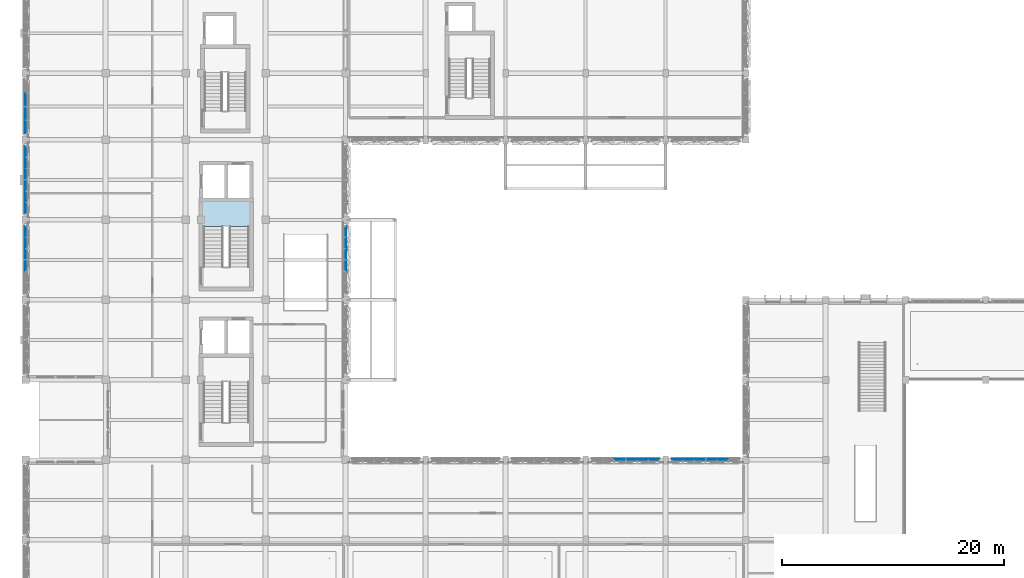
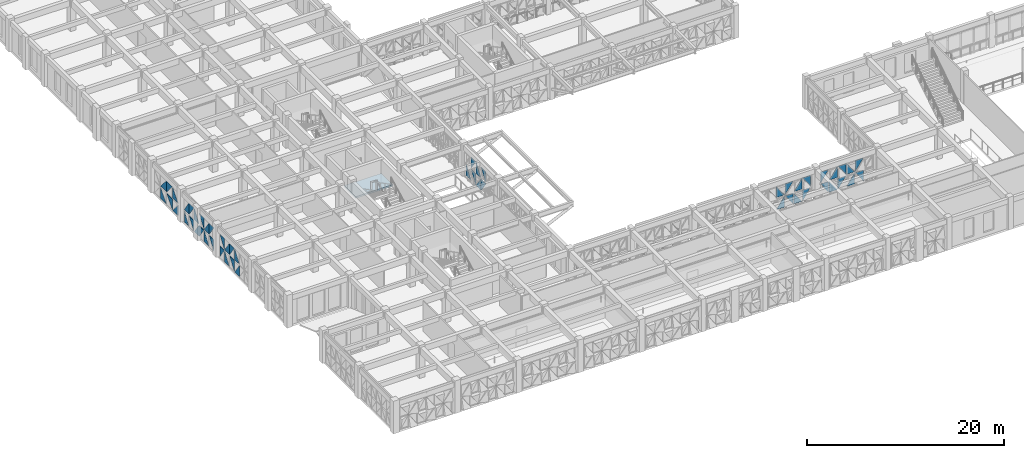
# One storey, part 32 of 88: 51 plates, 1 slab, 7 elements without a shape of their own.
"""IFC4 building model written with IfcOpenShell, lengths in metres."""

from ifc_helpers import new_model, si_unit, direction, frame, origin, place, context, subcontext, project, spatial, polyline, outline, extrude, material, layer, layer_set, type_object, element, aggregate, save


model = new_model("IFC4")

# Units and contexts
model_context = context("Model", 3, precision=1e-05, world=origin(), true_north=direction((0.0, 1.0)))
body_context = subcontext(model_context, "Body", "Model", "MODEL_VIEW")
ifc_project = project(units=[si_unit("LENGTHUNIT", "METRE"), si_unit("AREAUNIT", "SQUARE_METRE"), si_unit("VOLUMEUNIT", "CUBIC_METRE"), si_unit("PLANEANGLEUNIT", "RADIAN"), si_unit("MASSUNIT", "GRAM", prefix="KILO")], contexts=[model_context])

# Site, building, storey
site_placement = place(None, origin())
site = spatial("IfcSite", under=ifc_project, at=site_placement, CompositionType="ELEMENT")
building_placement = place(site_placement, origin())
building = spatial("IfcBuilding", under=site, at=building_placement, Name="Alvorim Cloister Faculty of Sciences", CompositionType="ELEMENT")
storey_placement = place(building_placement, frame((0.0, 0.0, 4.5)))
storey = spatial("IfcBuildingStorey", under=building, at=storey_placement, Name="L01", CompositionType="ELEMENT", Elevation=4.5)

# Curtain wall, plates
ifc_material_1 = material(Name="Aluminium and Low-E Glass Curtain Wall", Category="aluminium")
curtain_wall_type_1 = type_object("IfcCurtainWallType", Name="CW-TRI-6120x3170", PredefinedType="USERDEFINED", material=ifc_material_1)
curtain_wall_1_placement = place(storey_placement, origin())
curtain_wall_1 = element("IfcCurtainWall", 1, at=curtain_wall_1_placement, inside=storey, type_object=curtain_wall_type_1, Name="L01 Diagonal Cassette Curtain Wall CW-0008", ObjectType="UNITISED CURTAIN WALL", PredefinedType="USERDEFINED")
ifc_material_2 = material(Name="Double Low-E Laminated Glass", Category="glass")
ifc_layer_1 = layer(ifc_material_2, 0.0400390625)
ifc_layer_set_1 = layer_set([ifc_layer_1], Name="Double Low-E Laminated Glass")
plate_type = type_object("IfcPlateType", Name="PN-GLZ-40", PredefinedType="CURTAIN_PANEL", material=ifc_layer_set_1)
plate_1_placement = place(storey_placement, frame((-0.02490234375, 31.41748046875, 0.159912109375), z_axis=(0.0, 0.0, 1.0), x_axis=(0.0, 1.0, 0.0)))
plate_1 = element("IfcPlate", 2, at=plate_1_placement, type_object=plate_type, Name="Diagonal Glazed Triangle TRI-BL", PredefinedType="CURTAIN_PANEL", context=body_context, shape_type="SweptSolid", body=[
    extrude(outline(polyline([(0.0, 0.0), (0.943115234375, 0.0), (0.0, 1.343017578125), (0.0, 0.0)])), frame((0.0, 0.02490234375, 0.0), z_axis=(0.0, -1.0, 0.0), x_axis=(1.0, 0.0, 0.0)), (0.0, 0.0, 1.0), 0.050048828125),
])
plate_2_placement = place(storey_placement, frame((-0.02490234375, 31.41748046875, 1.6650390625), z_axis=(0.0, 0.0, 1.0), x_axis=(0.0, 1.0, 0.0)))
plate_2 = element("IfcPlate", 3, at=plate_2_placement, type_object=plate_type, Name="Diagonal Glazed Triangle TRI-BR", PredefinedType="CURTAIN_PANEL", context=body_context, shape_type="SweptSolid", body=[
    extrude(outline(polyline([(0.001953125, 0.0), (0.945068359375, 0.0), (0.945068359375, 1.343017578125), (0.001953125, 0.0)])), frame((0.0, 0.02490234375, 0.0), z_axis=(0.0, -1.0, 0.0), x_axis=(1.0, 0.0, 0.0)), (0.0, 0.0, 1.0), 0.050048828125),
])
plate_3_placement = place(storey_placement, frame((-0.02490234375, 32.4375, 0.159912109375), z_axis=(0.0, 0.0, 1.0), x_axis=(0.0, 1.0, 0.0)))
plate_3 = element("IfcPlate", 4, at=plate_3_placement, type_object=plate_type, Name="Diagonal Glazed Triangle TRI-TL", PredefinedType="CURTAIN_PANEL", context=body_context, shape_type="SweptSolid", body=[
    extrude(outline(polyline([(0.943115234375, 1.344970703125), (0.0, 1.344970703125), (0.0, 0.001953125), (0.943115234375, 1.344970703125)])), frame((0.0, 0.02490234375, 0.0), z_axis=(0.0, -1.0, 0.0), x_axis=(1.0, 0.0, 0.0)), (0.0, 0.0, 1.0), 0.050048828125),
])
plate_4_placement = place(storey_placement, frame((-0.02490234375, 32.4375, 1.6650390625), z_axis=(0.0, 0.0, 1.0), x_axis=(0.0, 1.0, 0.0)))
plate_4 = element("IfcPlate", 5, at=plate_4_placement, type_object=plate_type, Name="Diagonal Glazed Triangle TRI-TR", PredefinedType="CURTAIN_PANEL", context=body_context, shape_type="SweptSolid", body=[
    extrude(outline(polyline([(0.945068359375, 0.001953125), (0.945068359375, 1.344970703125), (0.001953125, 1.344970703125), (0.945068359375, 0.001953125)])), frame((0.0, 0.02490234375, 0.0), z_axis=(0.0, -1.0, 0.0), x_axis=(1.0, 0.0, 0.0)), (0.0, 0.0, 1.0), 0.050048828125),
])
plate_5_placement = place(storey_placement, frame((-0.02490234375, 33.45751953125, 0.159912109375), z_axis=(0.0, 0.0, 1.0), x_axis=(0.0, 1.0, 0.0)))
plate_5 = element("IfcPlate", 6, at=plate_5_placement, type_object=plate_type, Name="Diagonal Glazed Triangle TRI-BR", PredefinedType="CURTAIN_PANEL", context=body_context, shape_type="SweptSolid", body=[
    extrude(outline(polyline([(0.001953125, 0.0), (0.945068359375, 0.0), (0.945068359375, 1.343017578125), (0.001953125, 0.0)])), frame((0.0, 0.02490234375, 0.0), z_axis=(0.0, -1.0, 0.0), x_axis=(1.0, 0.0, 0.0)), (0.0, 0.0, 1.0), 0.050048828125),
])
plate_6_placement = place(storey_placement, frame((-0.02490234375, 33.45751953125, 1.6650390625), z_axis=(0.0, 0.0, 1.0), x_axis=(0.0, 1.0, 0.0)))
plate_6 = element("IfcPlate", 7, at=plate_6_placement, type_object=plate_type, Name="Diagonal Glazed Triangle TRI-BL", PredefinedType="CURTAIN_PANEL", context=body_context, shape_type="SweptSolid", body=[
    extrude(outline(polyline([(0.0, 0.0), (0.943115234375, 0.0), (0.0, 1.343017578125), (0.0, 0.0)])), frame((0.0, 0.02490234375, 0.0), z_axis=(0.0, -1.0, 0.0), x_axis=(1.0, 0.0, 0.0)), (0.0, 0.0, 1.0), 0.050048828125),
])
plate_7_placement = place(storey_placement, frame((-0.02490234375, 34.4775390625, 0.159912109375), z_axis=(0.0, 0.0, 1.0), x_axis=(0.0, 1.0, 0.0)))
plate_7 = element("IfcPlate", 8, at=plate_7_placement, type_object=plate_type, Name="Diagonal Glazed Triangle TRI-TR", PredefinedType="CURTAIN_PANEL", context=body_context, shape_type="SweptSolid", body=[
    extrude(outline(polyline([(0.907470703125, 0.001953125), (0.907470703125, 1.344970703125), (0.001953125, 1.344970703125), (0.907470703125, 0.001953125)])), frame((0.0, 0.02490234375, 0.0), z_axis=(0.0, -1.0, 0.0), x_axis=(1.0, 0.0, 0.0)), (0.0, 0.0, 1.0), 0.050048828125),
])
plate_8_placement = place(storey_placement, frame((-0.02490234375, 34.4775390625, 1.6650390625), z_axis=(0.0, 0.0, 1.0), x_axis=(0.0, 1.0, 0.0)))
plate_8 = element("IfcPlate", 9, at=plate_8_placement, type_object=plate_type, Name="Diagonal Glazed Triangle TRI-TL", PredefinedType="CURTAIN_PANEL", context=body_context, shape_type="SweptSolid", body=[
    extrude(outline(polyline([(0.905517578125, 1.344970703125), (0.0, 1.344970703125), (0.0, 0.001953125), (0.905517578125, 1.344970703125)])), frame((0.0, 0.02490234375, 0.0), z_axis=(0.0, -1.0, 0.0), x_axis=(1.0, 0.0, 0.0)), (0.0, 0.0, 1.0), 0.050048828125),
])
aggregate(curtain_wall_1, [plate_1, plate_2, plate_3, plate_4, plate_5, plate_6, plate_7, plate_8])

curtain_wall_2_placement = place(storey_placement, origin())
curtain_wall_2 = element("IfcCurtainWall", 10, at=curtain_wall_2_placement, inside=storey, type_object=curtain_wall_type_1, Name="L01 Diagonal Cassette Curtain Wall CW-0009", ObjectType="UNITISED CURTAIN WALL", PredefinedType="USERDEFINED")
plate_9_placement = place(storey_placement, frame((-0.02490234375, 36.614990234375, 0.159912109375), z_axis=(0.0, 0.0, 1.0), x_axis=(0.0, 1.0, 0.0)))
plate_9 = element("IfcPlate", 11, at=plate_9_placement, type_object=plate_type, Name="Diagonal Glazed Triangle TRI-TL", PredefinedType="CURTAIN_PANEL", context=body_context, shape_type="SweptSolid", body=[
    extrude(outline(polyline([(0.905517578125, 1.344970703125), (0.0, 1.344970703125), (0.0, 0.001953125), (0.905517578125, 1.344970703125)])), frame((0.0, 0.02490234375, 0.0), z_axis=(0.0, -1.0, 0.0), x_axis=(1.0, 0.0, 0.0)), (0.0, 0.0, 1.0), 0.050048828125),
])
plate_10_placement = place(storey_placement, frame((-0.02490234375, 36.614990234375, 1.6650390625), z_axis=(0.0, 0.0, 1.0), x_axis=(0.0, 1.0, 0.0)))
plate_10 = element("IfcPlate", 12, at=plate_10_placement, type_object=plate_type, Name="Diagonal Glazed Triangle TRI-TR", PredefinedType="CURTAIN_PANEL", context=body_context, shape_type="SweptSolid", body=[
    extrude(outline(polyline([(0.907470703125, 0.001953125), (0.907470703125, 1.344970703125), (0.001953125, 1.344970703125), (0.907470703125, 0.001953125)])), frame((0.0, 0.02490234375, 0.0), z_axis=(0.0, -1.0, 0.0), x_axis=(1.0, 0.0, 0.0)), (0.0, 0.0, 1.0), 0.050048828125),
])
plate_11_placement = place(storey_placement, frame((-0.02490234375, 37.597412109375, 0.159912109375), z_axis=(0.0, 0.0, 1.0), x_axis=(0.0, 1.0, 0.0)))
plate_11 = element("IfcPlate", 13, at=plate_11_placement, type_object=plate_type, Name="Diagonal Glazed Triangle TRI-BR", PredefinedType="CURTAIN_PANEL", context=body_context, shape_type="SweptSolid", body=[
    extrude(outline(polyline([(0.001953125, 0.0), (0.945068359375, 0.0), (0.945068359375, 1.343017578125), (0.001953125, 0.0)])), frame((0.0, 0.02490234375, 0.0), z_axis=(0.0, -1.0, 0.0), x_axis=(1.0, 0.0, 0.0)), (0.0, 0.0, 1.0), 0.050048828125),
])
plate_12_placement = place(storey_placement, frame((-0.02490234375, 37.597412109375, 1.6650390625), z_axis=(0.0, 0.0, 1.0), x_axis=(0.0, 1.0, 0.0)))
plate_12 = element("IfcPlate", 14, at=plate_12_placement, type_object=plate_type, Name="Diagonal Glazed Triangle TRI-BL", PredefinedType="CURTAIN_PANEL", context=body_context, shape_type="SweptSolid", body=[
    extrude(outline(polyline([(0.0, 0.0), (0.943115234375, 0.0), (0.0, 1.343017578125), (0.0, 0.0)])), frame((0.0, 0.02490234375, 0.0), z_axis=(0.0, -1.0, 0.0), x_axis=(1.0, 0.0, 0.0)), (0.0, 0.0, 1.0), 0.050048828125),
])
plate_13_placement = place(storey_placement, frame((-0.02490234375, 38.617431640625, 0.159912109375), z_axis=(0.0, 0.0, 1.0), x_axis=(0.0, 1.0, 0.0)))
plate_13 = element("IfcPlate", 15, at=plate_13_placement, type_object=plate_type, Name="Diagonal Glazed Triangle TRI-TR", PredefinedType="CURTAIN_PANEL", context=body_context, shape_type="SweptSolid", body=[
    extrude(outline(polyline([(0.945068359375, 0.001953125), (0.945068359375, 1.344970703125), (0.001953125, 1.344970703125), (0.945068359375, 0.001953125)])), frame((0.0, 0.02490234375, 0.0), z_axis=(0.0, -1.0, 0.0), x_axis=(1.0, 0.0, 0.0)), (0.0, 0.0, 1.0), 0.050048828125),
])
plate_14_placement = place(storey_placement, frame((-0.02490234375, 38.617431640625, 1.6650390625), z_axis=(0.0, 0.0, 1.0), x_axis=(0.0, 1.0, 0.0)))
plate_14 = element("IfcPlate", 16, at=plate_14_placement, type_object=plate_type, Name="Diagonal Glazed Triangle TRI-TL", PredefinedType="CURTAIN_PANEL", context=body_context, shape_type="SweptSolid", body=[
    extrude(outline(polyline([(0.943115234375, 1.344970703125), (0.0, 1.344970703125), (0.0, 0.001953125), (0.943115234375, 1.344970703125)])), frame((0.0, 0.02490234375, 0.0), z_axis=(0.0, -1.0, 0.0), x_axis=(1.0, 0.0, 0.0)), (0.0, 0.0, 1.0), 0.050048828125),
])
plate_15_placement = place(storey_placement, frame((-0.02490234375, 39.637451171875, 0.159912109375), z_axis=(0.0, 0.0, 1.0), x_axis=(0.0, 1.0, 0.0)))
plate_15 = element("IfcPlate", 17, at=plate_15_placement, type_object=plate_type, Name="Diagonal Glazed Triangle TRI-BL", PredefinedType="CURTAIN_PANEL", context=body_context, shape_type="SweptSolid", body=[
    extrude(outline(polyline([(0.0, 0.0), (0.943115234375, 0.0), (0.0, 1.343017578125), (0.0, 0.0)])), frame((0.0, 0.02490234375, 0.0), z_axis=(0.0, -1.0, 0.0), x_axis=(1.0, 0.0, 0.0)), (0.0, 0.0, 1.0), 0.050048828125),
])
plate_16_placement = place(storey_placement, frame((-0.02490234375, 39.637451171875, 1.6650390625), z_axis=(0.0, 0.0, 1.0), x_axis=(0.0, 1.0, 0.0)))
plate_16 = element("IfcPlate", 18, at=plate_16_placement, type_object=plate_type, Name="Diagonal Glazed Triangle TRI-BR", PredefinedType="CURTAIN_PANEL", context=body_context, shape_type="SweptSolid", body=[
    extrude(outline(polyline([(0.001953125, 0.0), (0.945068359375, 0.0), (0.945068359375, 1.343017578125), (0.001953125, 0.0)])), frame((0.0, 0.02490234375, 0.0), z_axis=(0.0, -1.0, 0.0), x_axis=(1.0, 0.0, 0.0)), (0.0, 0.0, 1.0), 0.050048828125),
])
plate_17_placement = place(storey_placement, frame((-0.02490234375, 40.657470703125, 0.159912109375), z_axis=(0.0, 0.0, 1.0), x_axis=(0.0, 1.0, 0.0)))
plate_17 = element("IfcPlate", 19, at=plate_17_placement, type_object=plate_type, Name="Diagonal Glazed Triangle TRI-TL", PredefinedType="CURTAIN_PANEL", context=body_context, shape_type="SweptSolid", body=[
    extrude(outline(polyline([(0.943115234375, 1.344970703125), (0.0, 1.344970703125), (0.0, 0.001953125), (0.943115234375, 1.344970703125)])), frame((0.0, 0.02490234375, 0.0), z_axis=(0.0, -1.0, 0.0), x_axis=(1.0, 0.0, 0.0)), (0.0, 0.0, 1.0), 0.050048828125),
])
plate_18_placement = place(storey_placement, frame((-0.02490234375, 40.657470703125, 1.6650390625), z_axis=(0.0, 0.0, 1.0), x_axis=(0.0, 1.0, 0.0)))
plate_18 = element("IfcPlate", 20, at=plate_18_placement, type_object=plate_type, Name="Diagonal Glazed Triangle TRI-TR", PredefinedType="CURTAIN_PANEL", context=body_context, shape_type="SweptSolid", body=[
    extrude(outline(polyline([(0.945068359375, 0.001953125), (0.945068359375, 1.344970703125), (0.001953125, 1.344970703125), (0.945068359375, 0.001953125)])), frame((0.0, 0.02490234375, 0.0), z_axis=(0.0, -1.0, 0.0), x_axis=(1.0, 0.0, 0.0)), (0.0, 0.0, 1.0), 0.050048828125),
])
plate_19_placement = place(storey_placement, frame((-0.02490234375, 41.677490234375, 0.159912109375), z_axis=(0.0, 0.0, 1.0), x_axis=(0.0, 1.0, 0.0)))
plate_19 = element("IfcPlate", 21, at=plate_19_placement, type_object=plate_type, Name="Diagonal Glazed Triangle TRI-BR", PredefinedType="CURTAIN_PANEL", context=body_context, shape_type="SweptSolid", body=[
    extrude(outline(polyline([(0.001953125, 0.0), (0.907470703125, 0.0), (0.907470703125, 1.343017578125), (0.001953125, 0.0)])), frame((0.0, 0.02490234375, 0.0), z_axis=(0.0, -1.0, 0.0), x_axis=(1.0, 0.0, 0.0)), (0.0, 0.0, 1.0), 0.050048828125),
])
plate_20_placement = place(storey_placement, frame((-0.02490234375, 41.677490234375, 1.6650390625), z_axis=(0.0, 0.0, 1.0), x_axis=(0.0, 1.0, 0.0)))
plate_20 = element("IfcPlate", 22, at=plate_20_placement, type_object=plate_type, Name="Diagonal Glazed Triangle TRI-BL", PredefinedType="CURTAIN_PANEL", context=body_context, shape_type="SweptSolid", body=[
    extrude(outline(polyline([(0.0, 0.0), (0.905517578125, 0.0), (0.0, 1.343017578125), (0.0, 0.0)])), frame((0.0, 0.02490234375, 0.0), z_axis=(0.0, -1.0, 0.0), x_axis=(1.0, 0.0, 0.0)), (0.0, 0.0, 1.0), 0.050048828125),
])
aggregate(curtain_wall_2, [plate_9, plate_10, plate_11, plate_12, plate_13, plate_14, plate_15, plate_16, plate_17, plate_18, plate_19, plate_20])

curtain_wall_type_2 = type_object("IfcCurtainWallType", Name="CW-TRI-4920x3170", PredefinedType="USERDEFINED", material=ifc_material_1)
curtain_wall_3_placement = place(storey_placement, origin())
curtain_wall_3 = element("IfcCurtainWall", 23, at=curtain_wall_3_placement, inside=storey, type_object=curtain_wall_type_2, Name="L01 Diagonal Cassette Curtain Wall CW-0010", ObjectType="UNITISED CURTAIN WALL", PredefinedType="USERDEFINED")
plate_21_placement = place(storey_placement, frame((-0.02490234375, 43.81494140625, 0.159912109375), z_axis=(0.0, 0.0, 1.0), x_axis=(0.0, 1.0, 0.0)))
plate_21 = element("IfcPlate", 24, at=plate_21_placement, type_object=plate_type, Name="Diagonal Glazed Triangle TRI-BL", PredefinedType="CURTAIN_PANEL", context=body_context, shape_type="SweptSolid", body=[
    extrude(outline(polyline([(0.0, 0.0), (1.115478515625, 0.0), (0.0, 1.343017578125), (0.0, 0.0)])), frame((0.0, 0.02490234375, 0.0), z_axis=(0.0, -1.0, 0.0), x_axis=(1.0, 0.0, 0.0)), (0.0, 0.0, 1.0), 0.050048828125),
])
plate_22_placement = place(storey_placement, frame((-0.02490234375, 43.81494140625, 1.6650390625), z_axis=(0.0, 0.0, 1.0), x_axis=(0.0, 1.0, 0.0)))
plate_22 = element("IfcPlate", 25, at=plate_22_placement, type_object=plate_type, Name="Diagonal Glazed Triangle TRI-BR", PredefinedType="CURTAIN_PANEL", context=body_context, shape_type="SweptSolid", body=[
    extrude(outline(polyline([(0.001953125, 0.0), (1.117431640625, 0.0), (1.117431640625, 1.343017578125), (0.001953125, 0.0)])), frame((0.0, 0.02490234375, 0.0), z_axis=(0.0, -1.0, 0.0), x_axis=(1.0, 0.0, 0.0)), (0.0, 0.0, 1.0), 0.050048828125),
])
plate_23_placement = place(storey_placement, frame((-0.02490234375, 45.007568359375, 0.159912109375), z_axis=(0.0, 0.0, 1.0), x_axis=(0.0, 1.0, 0.0)))
plate_23 = element("IfcPlate", 26, at=plate_23_placement, type_object=plate_type, Name="Diagonal Glazed Triangle TRI-TL", PredefinedType="CURTAIN_PANEL", context=body_context, shape_type="SweptSolid", body=[
    extrude(outline(polyline([(1.153076171875, 1.344970703125), (0.0, 1.344970703125), (0.0, 0.001953125), (1.153076171875, 1.344970703125)])), frame((0.0, 0.02490234375, 0.0), z_axis=(0.0, -1.0, 0.0), x_axis=(1.0, 0.0, 0.0)), (0.0, 0.0, 1.0), 0.050048828125),
])
plate_24_placement = place(storey_placement, frame((-0.02490234375, 45.007568359375, 1.6650390625), z_axis=(0.0, 0.0, 1.0), x_axis=(0.0, 1.0, 0.0)))
plate_24 = element("IfcPlate", 27, at=plate_24_placement, type_object=plate_type, Name="Diagonal Glazed Triangle TRI-TR", PredefinedType="CURTAIN_PANEL", context=body_context, shape_type="SweptSolid", body=[
    extrude(outline(polyline([(1.155029296875, 0.001953125), (1.155029296875, 1.344970703125), (0.001953125, 1.344970703125), (1.155029296875, 0.001953125)])), frame((0.0, 0.02490234375, 0.0), z_axis=(0.0, -1.0, 0.0), x_axis=(1.0, 0.0, 0.0)), (0.0, 0.0, 1.0), 0.050048828125),
])
plate_25_placement = place(storey_placement, frame((-0.02490234375, 46.237548828125, 0.159912109375), z_axis=(0.0, 0.0, 1.0), x_axis=(0.0, 1.0, 0.0)))
plate_25 = element("IfcPlate", 28, at=plate_25_placement, type_object=plate_type, Name="Diagonal Glazed Triangle TRI-BR", PredefinedType="CURTAIN_PANEL", context=body_context, shape_type="SweptSolid", body=[
    extrude(outline(polyline([(0.001953125, 0.0), (1.155029296875, 0.0), (1.155029296875, 1.343017578125), (0.001953125, 0.0)])), frame((0.0, 0.02490234375, 0.0), z_axis=(0.0, -1.0, 0.0), x_axis=(1.0, 0.0, 0.0)), (0.0, 0.0, 1.0), 0.050048828125),
])
plate_26_placement = place(storey_placement, frame((-0.02490234375, 46.237548828125, 1.6650390625), z_axis=(0.0, 0.0, 1.0), x_axis=(0.0, 1.0, 0.0)))
plate_26 = element("IfcPlate", 29, at=plate_26_placement, type_object=plate_type, Name="Diagonal Glazed Triangle TRI-BL", PredefinedType="CURTAIN_PANEL", context=body_context, shape_type="SweptSolid", body=[
    extrude(outline(polyline([(0.0, 0.0), (1.153076171875, 0.0), (0.0, 1.343017578125), (0.0, 0.0)])), frame((0.0, 0.02490234375, 0.0), z_axis=(0.0, -1.0, 0.0), x_axis=(1.0, 0.0, 0.0)), (0.0, 0.0, 1.0), 0.050048828125),
])
aggregate(curtain_wall_3, [plate_21, plate_22, plate_23, plate_24, plate_25, plate_26])

curtain_wall_4_placement = place(storey_placement, origin())
curtain_wall_4 = element("IfcCurtainWall", 30, at=curtain_wall_4_placement, inside=storey, type_object=curtain_wall_type_1, Name="L01 Diagonal Cassette Curtain Wall CW-0025", ObjectType="UNITISED CURTAIN WALL", PredefinedType="USERDEFINED")
plate_27_placement = place(storey_placement, frame((28.824951171875, 31.41748046875, 0.159912109375), z_axis=(0.0, 0.0, 1.0), x_axis=(0.0, 1.0, 0.0)))
plate_27 = element("IfcPlate", 31, at=plate_27_placement, type_object=plate_type, Name="Diagonal Glazed Triangle TRI-TR", PredefinedType="CURTAIN_PANEL", context=body_context, shape_type="SweptSolid", body=[
    extrude(outline(polyline([(0.945068359375, 0.001953125), (0.945068359375, 1.344970703125), (0.001953125, 1.344970703125), (0.945068359375, 0.001953125)])), frame((0.0, 0.02490234375, 0.0), z_axis=(0.0, -1.0, 0.0), x_axis=(1.0, 0.0, 0.0)), (0.0, 0.0, 1.0), 0.050048828125),
])
plate_28_placement = place(storey_placement, frame((28.824951171875, 31.41748046875, 1.6650390625), z_axis=(0.0, 0.0, 1.0), x_axis=(0.0, 1.0, 0.0)))
plate_28 = element("IfcPlate", 32, at=plate_28_placement, type_object=plate_type, Name="Diagonal Glazed Triangle TRI-TL", PredefinedType="CURTAIN_PANEL", context=body_context, shape_type="SweptSolid", body=[
    extrude(outline(polyline([(0.943115234375, 1.344970703125), (0.0, 1.344970703125), (0.0, 0.001953125), (0.943115234375, 1.344970703125)])), frame((0.0, 0.02490234375, 0.0), z_axis=(0.0, -1.0, 0.0), x_axis=(1.0, 0.0, 0.0)), (0.0, 0.0, 1.0), 0.050048828125),
])
plate_29_placement = place(storey_placement, frame((28.824951171875, 32.4375, 0.159912109375), z_axis=(0.0, 0.0, 1.0), x_axis=(0.0, 1.0, 0.0)))
plate_29 = element("IfcPlate", 33, at=plate_29_placement, type_object=plate_type, Name="Diagonal Glazed Triangle TRI-BL", PredefinedType="CURTAIN_PANEL", context=body_context, shape_type="SweptSolid", body=[
    extrude(outline(polyline([(0.0, 0.0), (0.943115234375, 0.0), (0.0, 1.343017578125), (0.0, 0.0)])), frame((0.0, 0.02490234375, 0.0), z_axis=(0.0, -1.0, 0.0), x_axis=(1.0, 0.0, 0.0)), (0.0, 0.0, 1.0), 0.050048828125),
])
plate_30_placement = place(storey_placement, frame((28.824951171875, 32.4375, 1.6650390625), z_axis=(0.0, 0.0, 1.0), x_axis=(0.0, 1.0, 0.0)))
plate_30 = element("IfcPlate", 34, at=plate_30_placement, type_object=plate_type, Name="Diagonal Glazed Triangle TRI-BR", PredefinedType="CURTAIN_PANEL", context=body_context, shape_type="SweptSolid", body=[
    extrude(outline(polyline([(0.001953125, 0.0), (0.945068359375, 0.0), (0.945068359375, 1.343017578125), (0.001953125, 0.0)])), frame((0.0, 0.02490234375, 0.0), z_axis=(0.0, -1.0, 0.0), x_axis=(1.0, 0.0, 0.0)), (0.0, 0.0, 1.0), 0.050048828125),
])
plate_31_placement = place(storey_placement, frame((28.824951171875, 33.45751953125, 0.159912109375), z_axis=(0.0, 0.0, 1.0), x_axis=(0.0, 1.0, 0.0)))
plate_31 = element("IfcPlate", 35, at=plate_31_placement, type_object=plate_type, Name="Diagonal Glazed Triangle TRI-TL", PredefinedType="CURTAIN_PANEL", context=body_context, shape_type="SweptSolid", body=[
    extrude(outline(polyline([(0.943115234375, 1.344970703125), (0.0, 1.344970703125), (0.0, 0.001953125), (0.943115234375, 1.344970703125)])), frame((0.0, 0.02490234375, 0.0), z_axis=(0.0, -1.0, 0.0), x_axis=(1.0, 0.0, 0.0)), (0.0, 0.0, 1.0), 0.050048828125),
])
plate_32_placement = place(storey_placement, frame((28.824951171875, 33.45751953125, 1.6650390625), z_axis=(0.0, 0.0, 1.0), x_axis=(0.0, 1.0, 0.0)))
plate_32 = element("IfcPlate", 36, at=plate_32_placement, type_object=plate_type, Name="Diagonal Glazed Triangle TRI-TR", PredefinedType="CURTAIN_PANEL", context=body_context, shape_type="SweptSolid", body=[
    extrude(outline(polyline([(0.945068359375, 0.001953125), (0.945068359375, 1.344970703125), (0.001953125, 1.344970703125), (0.945068359375, 0.001953125)])), frame((0.0, 0.02490234375, 0.0), z_axis=(0.0, -1.0, 0.0), x_axis=(1.0, 0.0, 0.0)), (0.0, 0.0, 1.0), 0.050048828125),
])
plate_33_placement = place(storey_placement, frame((28.824951171875, 34.4775390625, 0.159912109375), z_axis=(0.0, 0.0, 1.0), x_axis=(0.0, 1.0, 0.0)))
plate_33 = element("IfcPlate", 37, at=plate_33_placement, type_object=plate_type, Name="Diagonal Glazed Triangle TRI-BR", PredefinedType="CURTAIN_PANEL", context=body_context, shape_type="SweptSolid", body=[
    extrude(outline(polyline([(0.001953125, 0.0), (0.907470703125, 0.0), (0.907470703125, 1.343017578125), (0.001953125, 0.0)])), frame((0.0, 0.02490234375, 0.0), z_axis=(0.0, -1.0, 0.0), x_axis=(1.0, 0.0, 0.0)), (0.0, 0.0, 1.0), 0.050048828125),
])
aggregate(curtain_wall_4, [plate_27, plate_28, plate_29, plate_30, plate_31, plate_32, plate_33])

curtain_wall_5_placement = place(storey_placement, origin())
curtain_wall_5 = element("IfcCurtainWall", 38, at=curtain_wall_5_placement, inside=storey, type_object=curtain_wall_type_1, Name="L01 Diagonal Cassette Curtain Wall CW-0030", ObjectType="UNITISED CURTAIN WALL", PredefinedType="USERDEFINED")
plate_34_placement = place(storey_placement, frame((53.017578125, 14.425048828125, 0.159912109375), z_axis=(0.0, 0.0, 1.0), x_axis=(1.0, 0.0, 0.0)))
plate_34 = element("IfcPlate", 39, at=plate_34_placement, type_object=plate_type, Name="Diagonal Glazed Triangle TRI-BR", PredefinedType="CURTAIN_PANEL", context=body_context, shape_type="SweptSolid", body=[
    extrude(outline(polyline([(0.001953125, 0.0), (0.945068359375, 0.0), (0.945068359375, 1.343017578125), (0.001953125, 0.0)])), frame((0.0, 0.02490234375, 0.0), z_axis=(0.0, -1.0, 0.0), x_axis=(1.0, 0.0, 0.0)), (0.0, 0.0, 1.0), 0.050048828125),
])
plate_35_placement = place(storey_placement, frame((53.017578125, 14.425048828125, 1.6650390625), z_axis=(0.0, 0.0, 1.0), x_axis=(1.0, 0.0, 0.0)))
plate_35 = element("IfcPlate", 40, at=plate_35_placement, type_object=plate_type, Name="Diagonal Glazed Triangle TRI-BL", PredefinedType="CURTAIN_PANEL", context=body_context, shape_type="SweptSolid", body=[
    extrude(outline(polyline([(0.0, 0.0), (0.943115234375, 0.0), (0.0, 1.343017578125), (0.0, 0.0)])), frame((0.0, 0.02490234375, 0.0), z_axis=(0.0, -1.0, 0.0), x_axis=(1.0, 0.0, 0.0)), (0.0, 0.0, 1.0), 0.050048828125),
])
plate_36_placement = place(storey_placement, frame((54.03759765625, 14.425048828125, 0.159912109375), z_axis=(0.0, 0.0, 1.0), x_axis=(1.0, 0.0, 0.0)))
plate_36 = element("IfcPlate", 41, at=plate_36_placement, type_object=plate_type, Name="Diagonal Glazed Triangle TRI-TR", PredefinedType="CURTAIN_PANEL", context=body_context, shape_type="SweptSolid", body=[
    extrude(outline(polyline([(0.945068359375, 0.001953125), (0.945068359375, 1.344970703125), (0.001953125, 1.344970703125), (0.945068359375, 0.001953125)])), frame((0.0, 0.02490234375, 0.0), z_axis=(0.0, -1.0, 0.0), x_axis=(1.0, 0.0, 0.0)), (0.0, 0.0, 1.0), 0.050048828125),
])
plate_37_placement = place(storey_placement, frame((54.03759765625, 14.425048828125, 1.6650390625), z_axis=(0.0, 0.0, 1.0), x_axis=(1.0, 0.0, 0.0)))
plate_37 = element("IfcPlate", 42, at=plate_37_placement, type_object=plate_type, Name="Diagonal Glazed Triangle TRI-TL", PredefinedType="CURTAIN_PANEL", context=body_context, shape_type="SweptSolid", body=[
    extrude(outline(polyline([(0.943115234375, 1.344970703125), (0.0, 1.344970703125), (0.0, 0.001953125), (0.943115234375, 1.344970703125)])), frame((0.0, 0.02490234375, 0.0), z_axis=(0.0, -1.0, 0.0), x_axis=(1.0, 0.0, 0.0)), (0.0, 0.0, 1.0), 0.050048828125),
])
plate_38_placement = place(storey_placement, frame((55.0576171875, 14.425048828125, 0.159912109375), z_axis=(0.0, 0.0, 1.0), x_axis=(1.0, 0.0, 0.0)))
plate_38 = element("IfcPlate", 43, at=plate_38_placement, type_object=plate_type, Name="Diagonal Glazed Triangle TRI-BL", PredefinedType="CURTAIN_PANEL", context=body_context, shape_type="SweptSolid", body=[
    extrude(outline(polyline([(0.0, 0.0), (0.943115234375, 0.0), (0.0, 1.343017578125), (0.0, 0.0)])), frame((0.0, 0.02490234375, 0.0), z_axis=(0.0, -1.0, 0.0), x_axis=(1.0, 0.0, 0.0)), (0.0, 0.0, 1.0), 0.050048828125),
])
plate_39_placement = place(storey_placement, frame((55.0576171875, 14.425048828125, 1.6650390625), z_axis=(0.0, 0.0, 1.0), x_axis=(1.0, 0.0, 0.0)))
plate_39 = element("IfcPlate", 44, at=plate_39_placement, type_object=plate_type, Name="Diagonal Glazed Triangle TRI-BR", PredefinedType="CURTAIN_PANEL", context=body_context, shape_type="SweptSolid", body=[
    extrude(outline(polyline([(0.001953125, 0.0), (0.945068359375, 0.0), (0.945068359375, 1.343017578125), (0.001953125, 0.0)])), frame((0.0, 0.02490234375, 0.0), z_axis=(0.0, -1.0, 0.0), x_axis=(1.0, 0.0, 0.0)), (0.0, 0.0, 1.0), 0.050048828125),
])
plate_40_placement = place(storey_placement, frame((56.077392578125, 14.425048828125, 0.159912109375), z_axis=(0.0, 0.0, 1.0), x_axis=(1.0, 0.0, 0.0)))
plate_40 = element("IfcPlate", 45, at=plate_40_placement, type_object=plate_type, Name="Diagonal Glazed Triangle TRI-TL", PredefinedType="CURTAIN_PANEL", context=body_context, shape_type="SweptSolid", body=[
    extrude(outline(polyline([(0.905517578125, 1.344970703125), (0.0, 1.344970703125), (0.0, 0.001953125), (0.905517578125, 1.344970703125)])), frame((0.0, 0.02490234375, 0.0), z_axis=(0.0, -1.0, 0.0), x_axis=(1.0, 0.0, 0.0)), (0.0, 0.0, 1.0), 0.050048828125),
])
plate_41_placement = place(storey_placement, frame((56.077392578125, 14.425048828125, 1.6650390625), z_axis=(0.0, 0.0, 1.0), x_axis=(1.0, 0.0, 0.0)))
plate_41 = element("IfcPlate", 46, at=plate_41_placement, type_object=plate_type, Name="Diagonal Glazed Triangle TRI-TR", PredefinedType="CURTAIN_PANEL", context=body_context, shape_type="SweptSolid", body=[
    extrude(outline(polyline([(0.907470703125, 0.001953125), (0.907470703125, 1.344970703125), (0.001953125, 1.344970703125), (0.907470703125, 0.001953125)])), frame((0.0, 0.02490234375, 0.0), z_axis=(0.0, -1.0, 0.0), x_axis=(1.0, 0.0, 0.0)), (0.0, 0.0, 1.0), 0.050048828125),
])
aggregate(curtain_wall_5, [plate_34, plate_35, plate_36, plate_37, plate_38, plate_39, plate_40, plate_41])

curtain_wall_6_placement = place(storey_placement, origin())
curtain_wall_6 = element("IfcCurtainWall", 47, at=curtain_wall_6_placement, inside=storey, type_object=curtain_wall_type_1, Name="L01 Diagonal Cassette Curtain Wall CW-0031", ObjectType="UNITISED CURTAIN WALL", PredefinedType="USERDEFINED")
plate_42_placement = place(storey_placement, frame((58.215087890625, 14.425048828125, 0.159912109375), z_axis=(0.0, 0.0, 1.0), x_axis=(1.0, 0.0, 0.0)))
plate_42 = element("IfcPlate", 48, at=plate_42_placement, type_object=plate_type, Name="Diagonal Glazed Triangle TRI-TR", PredefinedType="CURTAIN_PANEL", context=body_context, shape_type="SweptSolid", body=[
    extrude(outline(polyline([(0.907470703125, 0.001953125), (0.907470703125, 1.344970703125), (0.001953125, 1.344970703125), (0.907470703125, 0.001953125)])), frame((0.0, 0.02490234375, 0.0), z_axis=(0.0, -1.0, 0.0), x_axis=(1.0, 0.0, 0.0)), (0.0, 0.0, 1.0), 0.050048828125),
])
plate_43_placement = place(storey_placement, frame((58.215087890625, 14.425048828125, 1.6650390625), z_axis=(0.0, 0.0, 1.0), x_axis=(1.0, 0.0, 0.0)))
plate_43 = element("IfcPlate", 49, at=plate_43_placement, type_object=plate_type, Name="Diagonal Glazed Triangle TRI-TL", PredefinedType="CURTAIN_PANEL", context=body_context, shape_type="SweptSolid", body=[
    extrude(outline(polyline([(0.905517578125, 1.344970703125), (0.0, 1.344970703125), (0.0, 0.001953125), (0.905517578125, 1.344970703125)])), frame((0.0, 0.02490234375, 0.0), z_axis=(0.0, -1.0, 0.0), x_axis=(1.0, 0.0, 0.0)), (0.0, 0.0, 1.0), 0.050048828125),
])
plate_44_placement = place(storey_placement, frame((59.197509765625, 14.425048828125, 0.159912109375), z_axis=(0.0, 0.0, 1.0), x_axis=(1.0, 0.0, 0.0)))
plate_44 = element("IfcPlate", 50, at=plate_44_placement, type_object=plate_type, Name="Diagonal Glazed Triangle TRI-BL", PredefinedType="CURTAIN_PANEL", context=body_context, shape_type="SweptSolid", body=[
    extrude(outline(polyline([(0.0, 0.0), (0.943115234375, 0.0), (0.0, 1.343017578125), (0.0, 0.0)])), frame((0.0, 0.02490234375, 0.0), z_axis=(0.0, -1.0, 0.0), x_axis=(1.0, 0.0, 0.0)), (0.0, 0.0, 1.0), 0.050048828125),
])
plate_45_placement = place(storey_placement, frame((59.197509765625, 14.425048828125, 1.6650390625), z_axis=(0.0, 0.0, 1.0), x_axis=(1.0, 0.0, 0.0)))
plate_45 = element("IfcPlate", 51, at=plate_45_placement, type_object=plate_type, Name="Diagonal Glazed Triangle TRI-BR", PredefinedType="CURTAIN_PANEL", context=body_context, shape_type="SweptSolid", body=[
    extrude(outline(polyline([(0.001953125, 0.0), (0.945068359375, 0.0), (0.945068359375, 1.343017578125), (0.001953125, 0.0)])), frame((0.0, 0.02490234375, 0.0), z_axis=(0.0, -1.0, 0.0), x_axis=(1.0, 0.0, 0.0)), (0.0, 0.0, 1.0), 0.050048828125),
])
plate_46_placement = place(storey_placement, frame((60.217529296875, 14.425048828125, 0.159912109375), z_axis=(0.0, 0.0, 1.0), x_axis=(1.0, 0.0, 0.0)))
plate_46 = element("IfcPlate", 52, at=plate_46_placement, type_object=plate_type, Name="Diagonal Glazed Triangle TRI-TL", PredefinedType="CURTAIN_PANEL", context=body_context, shape_type="SweptSolid", body=[
    extrude(outline(polyline([(0.943115234375, 1.344970703125), (0.0, 1.344970703125), (0.0, 0.001953125), (0.943115234375, 1.344970703125)])), frame((0.0, 0.02490234375, 0.0), z_axis=(0.0, -1.0, 0.0), x_axis=(1.0, 0.0, 0.0)), (0.0, 0.0, 1.0), 0.050048828125),
])
plate_47_placement = place(storey_placement, frame((60.217529296875, 14.425048828125, 1.6650390625), z_axis=(0.0, 0.0, 1.0), x_axis=(1.0, 0.0, 0.0)))
plate_47 = element("IfcPlate", 53, at=plate_47_placement, type_object=plate_type, Name="Diagonal Glazed Triangle TRI-TR", PredefinedType="CURTAIN_PANEL", context=body_context, shape_type="SweptSolid", body=[
    extrude(outline(polyline([(0.945068359375, 0.001953125), (0.945068359375, 1.344970703125), (0.001953125, 1.344970703125), (0.945068359375, 0.001953125)])), frame((0.0, 0.02490234375, 0.0), z_axis=(0.0, -1.0, 0.0), x_axis=(1.0, 0.0, 0.0)), (0.0, 0.0, 1.0), 0.050048828125),
])
plate_48_placement = place(storey_placement, frame((61.237548828125, 14.425048828125, 0.159912109375), z_axis=(0.0, 0.0, 1.0), x_axis=(1.0, 0.0, 0.0)))
plate_48 = element("IfcPlate", 54, at=plate_48_placement, type_object=plate_type, Name="Diagonal Glazed Triangle TRI-BR", PredefinedType="CURTAIN_PANEL", context=body_context, shape_type="SweptSolid", body=[
    extrude(outline(polyline([(0.001953125, 0.0), (0.945068359375, 0.0), (0.945068359375, 1.343017578125), (0.001953125, 0.0)])), frame((0.0, 0.02490234375, 0.0), z_axis=(0.0, -1.0, 0.0), x_axis=(1.0, 0.0, 0.0)), (0.0, 0.0, 1.0), 0.050048828125),
])
plate_49_placement = place(storey_placement, frame((61.237548828125, 14.425048828125, 1.6650390625), z_axis=(0.0, 0.0, 1.0), x_axis=(1.0, 0.0, 0.0)))
plate_49 = element("IfcPlate", 55, at=plate_49_placement, type_object=plate_type, Name="Diagonal Glazed Triangle TRI-BL", PredefinedType="CURTAIN_PANEL", context=body_context, shape_type="SweptSolid", body=[
    extrude(outline(polyline([(0.0, 0.0), (0.943115234375, 0.0), (0.0, 1.343017578125), (0.0, 0.0)])), frame((0.0, 0.02490234375, 0.0), z_axis=(0.0, -1.0, 0.0), x_axis=(1.0, 0.0, 0.0)), (0.0, 0.0, 1.0), 0.050048828125),
])
plate_50_placement = place(storey_placement, frame((62.257568359375, 14.425048828125, 0.159912109375), z_axis=(0.0, 0.0, 1.0), x_axis=(1.0, 0.0, 0.0)))
plate_50 = element("IfcPlate", 56, at=plate_50_placement, type_object=plate_type, Name="Diagonal Glazed Triangle TRI-TR", PredefinedType="CURTAIN_PANEL", context=body_context, shape_type="SweptSolid", body=[
    extrude(outline(polyline([(0.945068359375, 0.001953125), (0.945068359375, 1.344970703125), (0.001953125, 1.344970703125), (0.945068359375, 0.001953125)])), frame((0.0, 0.02490234375, 0.0), z_axis=(0.0, -1.0, 0.0), x_axis=(1.0, 0.0, 0.0)), (0.0, 0.0, 1.0), 0.050048828125),
])
plate_51_placement = place(storey_placement, frame((62.257568359375, 14.425048828125, 1.6650390625), z_axis=(0.0, 0.0, 1.0), x_axis=(1.0, 0.0, 0.0)))
plate_51 = element("IfcPlate", 57, at=plate_51_placement, type_object=plate_type, Name="Diagonal Glazed Triangle TRI-TL", PredefinedType="CURTAIN_PANEL", context=body_context, shape_type="SweptSolid", body=[
    extrude(outline(polyline([(0.943115234375, 1.344970703125), (0.0, 1.344970703125), (0.0, 0.001953125), (0.943115234375, 1.344970703125)])), frame((0.0, 0.02490234375, 0.0), z_axis=(0.0, -1.0, 0.0), x_axis=(1.0, 0.0, 0.0)), (0.0, 0.0, 1.0), 0.050048828125),
])
aggregate(curtain_wall_6, [plate_42, plate_43, plate_44, plate_45, plate_46, plate_47, plate_48, plate_49, plate_50, plate_51])

# Stair, slab
ifc_material_3 = material(Name="Concrete C40", Category="concrete")
stair_type = type_object("IfcStairType", Name="STR-ST-02-1780x4050", PredefinedType="HALF_TURN_STAIR", material=ifc_material_3)
stair_placement = place(storey_placement, origin())
stair = element("IfcStair", 58, at=stair_placement, inside=storey, type_object=stair_type, Name="L01 Enclosed Smoke-Proof Stair ST-02", PredefinedType="HALF_TURN_STAIR")
ifc_layer_2 = layer(ifc_material_3, 0.199951171875)
ifc_layer_set_2 = layer_set([ifc_layer_2], Name="Concrete C40")
slab_type = type_object("IfcSlabType", Name="SL-LAND-200", PredefinedType="LANDING", material=ifc_layer_set_2)
slab_placement = place(storey_placement, frame((0.0, 0.0, 1.824951171875)))
slab = element("IfcSlab", 59, at=slab_placement, type_object=slab_type, Name="ST-02 landing 1", PredefinedType="LANDING", context=body_context, shape_type="SweptSolid", body=[
    extrude(outline(polyline([(20.239990234375, 35.409912109375), (20.239990234375, 37.719970703125), (15.8798828125, 37.719970703125), (15.8798828125, 35.409912109375), (20.239990234375, 35.409912109375)])), origin(), (0.0, 0.0, 1.0), 0.199951171875),
])
aggregate(stair, [slab])

save(model, "model.ifc")
